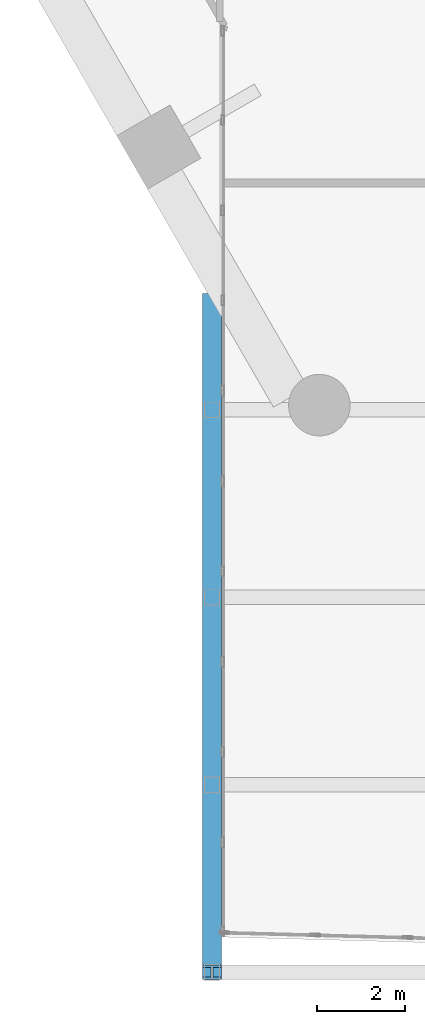
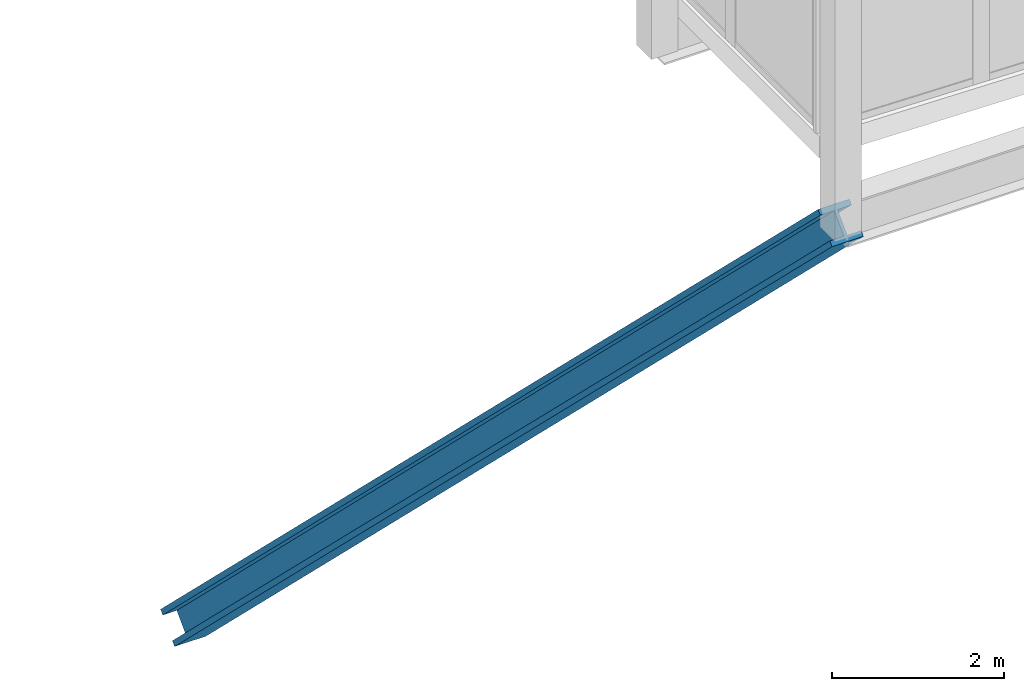
# One storey, part 3 of 38: 1 member.
"""IFC4 building model written with IfcOpenShell, lengths in metres."""

from ifc_helpers import new_model, si_unit, direction, frame, origin, origin_2d, place, context, subcontext, project, spatial, i_section, extrude, material, material_profile, profile_set, type_object, element, save


model = new_model("IFC4")

# Units and contexts
model_context = context("Model", 3, precision=1e-05, world=origin(), true_north=direction((0.0, 1.0)))
body_context = subcontext(model_context, "Body", "Model", "MODEL_VIEW")
ifc_project = project(units=[si_unit("LENGTHUNIT", "METRE"), si_unit("AREAUNIT", "SQUARE_METRE"), si_unit("VOLUMEUNIT", "CUBIC_METRE"), si_unit("PLANEANGLEUNIT", "RADIAN"), si_unit("MASSUNIT", "GRAM", prefix="KILO")], contexts=[model_context])

# Site, building, storey
site_placement = place(None, origin())
site = spatial("IfcSite", under=ifc_project, at=site_placement, CompositionType="ELEMENT")
building_placement = place(site_placement, origin())
building = spatial("IfcBuilding", under=site, at=building_placement, Name="Ostrander Bayou Hotel Tower", CompositionType="ELEMENT")
storey_placement = place(building_placement, frame((0.0, 0.0, 65.5)))
storey = spatial("IfcBuildingStorey", under=building, at=storey_placement, Name="L16", CompositionType="ELEMENT", Elevation=65.5)

# Member
ifc_material = material(Name="Steel ASTM A992", Category="steel")
ifc_material_profile = material_profile(ifc_material, i_section(OverallWidth=0.42138671875, OverallDepth=0.464599609375, WebThickness=0.044921875, FlangeThickness=0.072509765625, at=origin_2d()))
ifc_profile_set = profile_set([ifc_material_profile], Name="Steel ASTM A992")
member_type = type_object("IfcMemberType", Name="TK1 bar kicker strut W14x398", PredefinedType="BRACE", material=ifc_profile_set)
member_placement = place(storey_placement, frame((-14.965087890625, -32.949951171875, -0.671875), z_axis=(0.0, 0.715064323212, -0.699058662538), x_axis=(-1.0, 0.0, 0.0)))
element("IfcMember", 1, at=member_placement, inside=storey, type_object=member_type, Name="TK1 SB1SA kicker", PredefinedType="BRACE", context=body_context, shape_type="SweptSolid", body=[
    extrude(i_section(OverallWidth=0.42138671875, OverallDepth=0.464599609375, WebThickness=0.044921875, FlangeThickness=0.072509765625, at=origin_2d()), origin(), (0.0, 0.0, 1.0), 21.354736328125),
])

save(model, "model.ifc")
